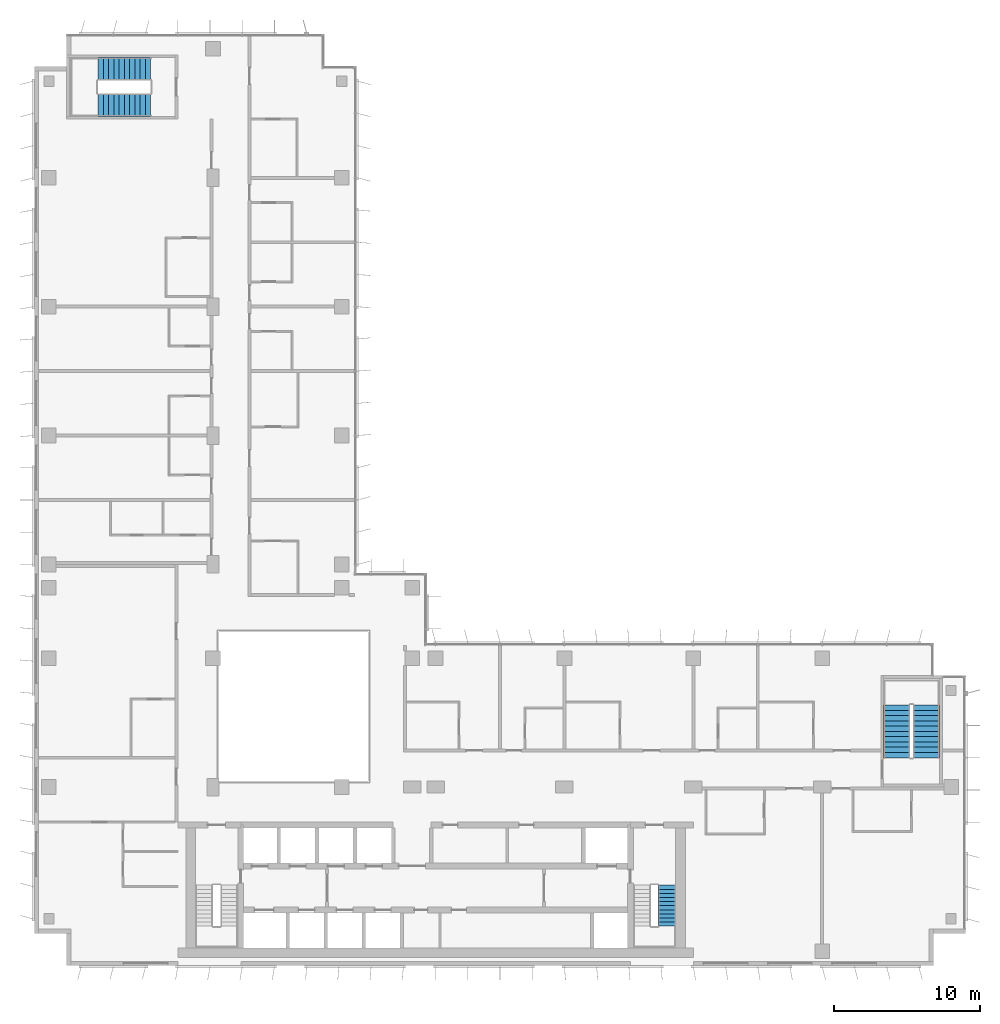
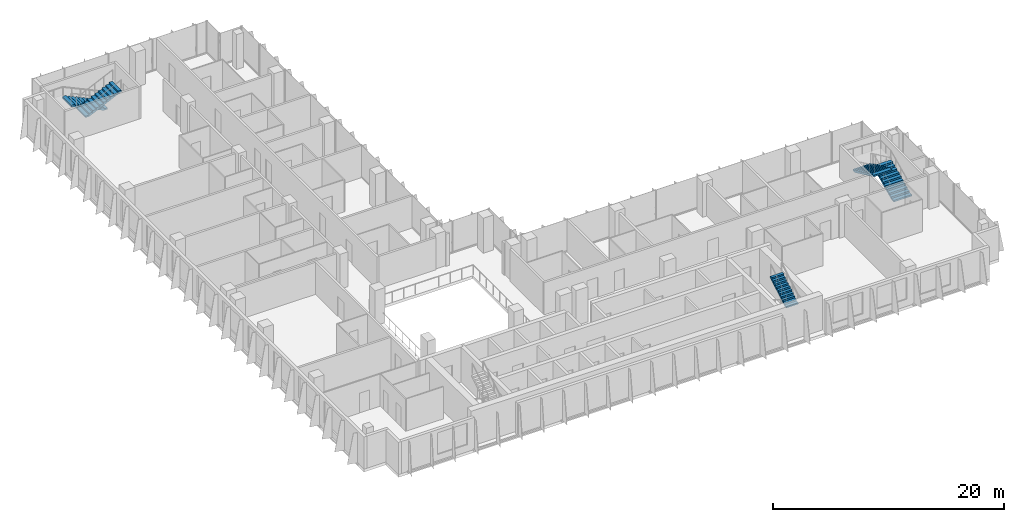
# One storey, part 18 of 21: 5 stair flights, 3 elements without a shape of their own.
"""IFC4 building model written with IfcOpenShell, lengths in metres."""

import ifcopenshell
import ifcopenshell.guid

model = None  # the IFC model being written
_history = None  # IfcOwnerHistory: only IFC2X3 demands one
_inside = {}  # id of a spatial element -> (the spatial element, [elements in it])
_under = {}  # id of a project, library or spatial element -> (it, [spatial elements below it])
_declared = {}  # id of a project -> (the project, [libraries it declares])
_typed = {}  # id of a type object -> (the type object, [elements of that type])
_made_of = {}  # id of a material, layer set ... -> (it, [elements and type objects made of it])


def new_model(schema):
    """Start an empty IFC model of exactly this schema.

    Asked for "IFC4X3", IfcOpenShell would pick the latest addendum, in which some entities
    have other attributes; the version numbers below select the first issue.
    IFC2X3 requires an IfcOwnerHistory on every rooted entity: one is made here for all.
    """
    global model, _history
    if schema == "IFC4X3":
        model = ifcopenshell.file(schema_version=(4, 3, 0, 0))
    else:
        model = ifcopenshell.file(schema=schema)
    _inside.clear()
    _under.clear()
    _declared.clear()
    _typed.clear()
    _made_of.clear()
    _history = None
    if model.schema == "IFC2X3":
        org = make("IfcOrganization", Name="unknown")
        user = make(
            "IfcPersonAndOrganization",
            ThePerson=make("IfcPerson", FamilyName="unknown"),
            TheOrganization=org,
        )
        app = make(
            "IfcApplication",
            ApplicationDeveloper=org,
            Version="unknown",
            ApplicationFullName="unknown",
            ApplicationIdentifier="unknown",
        )
        _history = make(
            "IfcOwnerHistory",
            OwningUser=user,
            OwningApplication=app,
            ChangeAction="ADDED",
            CreationDate=0,
        )
    return model


def make(cls, **values):
    """One entity of the class cls with the attributes given. An attribute that is None is left unset."""
    return model.create_entity(
        cls, **{name: value for name, value in values.items() if value is not None}
    )


def rooted(cls, **values):
    """An entity with a GlobalId (a new one), such as an element, a storey or a relation."""
    return make(cls, GlobalId=ifcopenshell.guid.new(), OwnerHistory=_history, **values)


def si_unit(unit_type, name, prefix=None):
    """IfcSIUnit, for example si_unit("LENGTHUNIT", "METRE", prefix="MILLI")."""
    return make("IfcSIUnit", UnitType=unit_type, Prefix=prefix, Name=name)


def assignment(units):
    """IfcUnitAssignment: the units of a project."""
    return None if units is None else make("IfcUnitAssignment", Units=units)


def point(xyz):
    """IfcCartesianPoint."""
    return None if xyz is None else make("IfcCartesianPoint", Coordinates=xyz)


def direction(xyz):
    """IfcDirection."""
    return None if xyz is None else make("IfcDirection", DirectionRatios=xyz)


def frame(location, z_axis=None, x_axis=None):
    """IfcAxis2Placement3D, a coordinate frame: its origin and axes. An axis left out is left unset."""
    return make(
        "IfcAxis2Placement3D",
        Location=point(location),
        Axis=direction(z_axis),
        RefDirection=direction(x_axis),
    )


def origin():
    """The frame at (0, 0, 0) with its axes left unset."""
    return frame((0.0, 0.0, 0.0))


def place(relative_to, where):
    """IfcLocalPlacement: puts the frame where relative to a parent placement (None: the world)."""
    return make(
        "IfcLocalPlacement", PlacementRelTo=relative_to, RelativePlacement=where
    )


def context(
    kind, dimensions, precision=None, world=None, true_north=None, identifier=None
):
    """IfcGeometricRepresentationContext, for example the 3D "Model" context."""
    return make(
        "IfcGeometricRepresentationContext",
        ContextIdentifier=identifier,
        ContextType=kind,
        CoordinateSpaceDimension=dimensions,
        Precision=precision,
        WorldCoordinateSystem=world,
        TrueNorth=true_north,
    )


def subcontext(parent, identifier, kind, view, scale=None):
    """IfcGeometricRepresentationSubContext, for example "Body" below "Model"."""
    return make(
        "IfcGeometricRepresentationSubContext",
        ContextIdentifier=identifier,
        ContextType=kind,
        ParentContext=parent,
        TargetScale=scale,
        TargetView=view,
    )


def project(units=None, contexts=None):
    """IfcProject with its units and contexts."""
    return rooted(
        "IfcProject",
        Name="project",
        RepresentationContexts=contexts,
        UnitsInContext=assignment(units),
    )


def spatial(cls, under=None, at=None, **own):
    """A site, building, storey or space (cls), placed at a placement, below another one or the project."""
    s = rooted(cls, ObjectPlacement=at, **own)
    if under is not None:
        _under.setdefault(under.id(), (under, []))[1].append(s)
    return s


def polyline(points):
    """IfcPolyline through the points."""
    return make("IfcPolyline", Points=[point(p) for p in points])


def outline(outer, holes=None, kind="AREA"):
    """IfcArbitraryClosedProfileDef: a profile drawn as a closed curve; with holes, ...WithVoids."""
    if holes is None:
        return make("IfcArbitraryClosedProfileDef", ProfileType=kind, OuterCurve=outer)
    return make(
        "IfcArbitraryProfileDefWithVoids",
        ProfileType=kind,
        OuterCurve=outer,
        InnerCurves=holes,
    )


def extrude(swept, where, along, depth):
    """IfcExtrudedAreaSolid: the profile swept, set in the frame where, extruded along a direction by depth."""
    return make(
        "IfcExtrudedAreaSolid",
        SweptArea=swept,
        Position=where,
        ExtrudedDirection=direction(along),
        Depth=depth,
    )


def shape(context_of_items, identifier, shape_type, items):
    """IfcShapeRepresentation: the items that make up one representation, for example the "Body"."""
    return make(
        "IfcShapeRepresentation",
        ContextOfItems=context_of_items,
        RepresentationIdentifier=identifier,
        RepresentationType=shape_type,
        Items=items,
    )


def material(Name=None, Category=None):
    """IfcMaterial."""
    return make("IfcMaterial", Name=Name, Category=Category)


def made_of(thing, what):
    """Note that an element or type object is made of a material, layer set ...; save() writes the relation."""
    if what is not None:
        _made_of.setdefault(what.id(), (what, []))[1].append(thing)
    return thing


def type_object(cls, material=None, **own):
    """A type object (cls), such as IfcWallType, which elements share."""
    return made_of(rooted(cls, **own), material)


def element(
    cls,
    number,
    at=None,
    inside=None,
    cuts=None,
    type_object=None,
    material=None,
    context=None,
    identifier="Body",
    shape_type=None,
    held_by="IfcProductDefinitionShape",
    body=None,
    shapes=None,
    **own,
):
    """One element of the class cls, such as IfcWall. Its Tag is "e" and its number.

    at: its placement. inside: the storey or other place that contains it. cuts: it is an
    opening in that element (IfcRelVoidsElement). A single representation is given by context,
    identifier, shape_type and body (its items); several are given by shapes. held_by: the class
    of the entity that holds the representations. save() writes the other relations.
    """
    e = rooted(cls, Tag="e%d" % number, ObjectPlacement=at, **own)
    if body is not None:
        shapes = [shape(context, identifier, shape_type, body)]
    if shapes is not None:
        e.Representation = make(held_by, Representations=shapes)
    if inside is not None:
        _inside.setdefault(inside.id(), (inside, []))[1].append(e)
    if cuts is not None:
        rooted(
            "IfcRelVoidsElement", RelatingBuildingElement=cuts, RelatedOpeningElement=e
        )
    if type_object is not None:
        _typed.setdefault(type_object.id(), (type_object, []))[1].append(e)
    return made_of(e, material)


def aggregate(whole, parts):
    """IfcRelAggregates: a whole, such as a stair, and the parts it consists of."""
    return rooted("IfcRelAggregates", RelatingObject=whole, RelatedObjects=parts)


def save(model, path):
    """Write the relations noted so far, then the file.

    IfcRelAggregates (storeys below a building ...), IfcRelContainedInSpatialStructure (elements
    in a storey), IfcRelDefinesByType, IfcRelAssociatesMaterial and IfcRelDeclares: one each for
    every whole, place, type object, material and project.
    """
    for whole, parts in _under.values():
        aggregate(whole, parts)
    for where, things in _inside.values():
        rooted(
            "IfcRelContainedInSpatialStructure",
            RelatedElements=things,
            RelatingStructure=where,
        )
    for kind, things in _typed.values():
        rooted("IfcRelDefinesByType", RelatedObjects=things, RelatingType=kind)
    for what, things in _made_of.values():
        rooted("IfcRelAssociatesMaterial", RelatedObjects=things, RelatingMaterial=what)
    for by, libraries in _declared.values():
        rooted("IfcRelDeclares", RelatingContext=by, RelatedDefinitions=libraries)
    model.write(path)


model = new_model("IFC4")

# Units and contexts
model_context = context("Model", 3, precision=1e-05, world=origin(), true_north=direction((0.0, 1.0)))
body_context = subcontext(model_context, "Body", "Model", "MODEL_VIEW")
ifc_project = project(units=[si_unit("LENGTHUNIT", "METRE"), si_unit("AREAUNIT", "SQUARE_METRE"), si_unit("VOLUMEUNIT", "CUBIC_METRE"), si_unit("PLANEANGLEUNIT", "RADIAN"), si_unit("MASSUNIT", "GRAM", prefix="KILO")], contexts=[model_context])

# Site, building, storey
site_placement = place(None, origin())
site = spatial("IfcSite", under=ifc_project, at=site_placement, CompositionType="ELEMENT")
building_placement = place(site_placement, origin())
building = spatial("IfcBuilding", under=site, at=building_placement, Name="Kemantara Hotel Tower", CompositionType="ELEMENT")
storey_placement = place(building_placement, frame((0.0, 0.0, 160.5)))
storey = spatial("IfcBuildingStorey", under=building, at=storey_placement, Name="L39", CompositionType="ELEMENT", Elevation=160.5)

# Stair, stair flight
ifc_material = material(Name="Concrete fc 40 MPa", Category="concrete")
stair_type_1 = type_object("IfcStairType", Name="Stair 1200 wide 22 risers of 168 x 280 mm", PredefinedType="HALF_TURN_STAIR", material=ifc_material)
stair_1_placement = place(storey_placement, origin())
stair_1 = element("IfcStair", 1, at=stair_1_placement, inside=storey, type_object=stair_type_1, Name="L39 Exit stair ST2", PredefinedType="HALF_TURN_STAIR")
stair_flight_type_1 = type_object("IfcStairFlightType", Name="Stair flight 1200 wide 168 x 280 mm", PredefinedType="STRAIGHT", material=ifc_material)
stair_flight_1_placement = place(storey_placement, frame((43.199951171875, 2.699951171875, 1.85009765625), z_axis=(0.0, 0.0, 1.0), x_axis=(0.0, 1.0, 0.0)))
stair_flight_1 = element("IfcStairFlight", 2, at=stair_flight_1_placement, type_object=stair_flight_type_1, Name="ST2 flight 2", NumberOfRisers=11, NumberOfTreads=10, PredefinedType="STRAIGHT", RiserHeight=0.168181818, TreadLength=0.28, context=body_context, shape_type="SweptSolid", body=[
    extrude(outline(polyline([(0.0, 0.0), (0.0, 0.168212890625), (0.280029296875, 0.168212890625), (0.280029296875, 0.33642578125), (0.56005859375, 0.33642578125), (0.56005859375, 0.504638671875), (0.840087890625, 0.504638671875), (0.840087890625, 0.672607421875), (1.1201171875, 0.672607421875), (1.1201171875, 0.8408203125), (1.39990234375, 0.8408203125), (1.39990234375, 1.009033203125), (1.679931640625, 1.009033203125), (1.679931640625, 1.17724609375), (1.9599609375, 1.17724609375), (1.9599609375, 1.345458984375), (2.239990234375, 1.345458984375), (2.239990234375, 1.513671875), (2.52001953125, 1.513671875), (2.52001953125, 1.681884765625), (2.800048828125, 1.681884765625), (2.800048828125, 1.85009765625), (2.800048828125, 1.5068359375), (0.291015625, 0.0), (0.0, 0.0)])), frame((0.0, 0.60009765625, 0.0), z_axis=(0.0, -1.0, 0.0), x_axis=(1.0, 0.0, 0.0)), (0.0, 0.0, 1.0), 1.199951171875),
])
aggregate(stair_1, [stair_flight_1])

# Stair, stair flights
stair_type_2 = type_object("IfcStairType", Name="Stair 1550 wide 22 risers of 168 x 360 mm", PredefinedType="HALF_TURN_STAIR", material=ifc_material)
stair_2_placement = place(storey_placement, origin())
stair_2 = element("IfcStair", 3, at=stair_2_placement, inside=storey, type_object=stair_type_2, Name="L39 Exit stair ST4", PredefinedType="HALF_TURN_STAIR")
stair_flight_type_2 = type_object("IfcStairFlightType", Name="Stair flight 1550 wide 168 x 360 mm", PredefinedType="STRAIGHT", material=ifc_material)
stair_flight_2_placement = place(storey_placement, frame((7.949951171875, 61.22509765625, 0.0), z_axis=(0.0, 0.0, 1.0), x_axis=(-1.0, 0.0, 0.0)))
stair_flight_2 = element("IfcStairFlight", 4, at=stair_flight_2_placement, type_object=stair_flight_type_2, Name="ST4 flight 1", NumberOfRisers=11, NumberOfTreads=10, PredefinedType="STRAIGHT", RiserHeight=0.168181818, TreadLength=0.36, context=body_context, shape_type="SweptSolid", body=[
    extrude(outline(polyline([(0.0, 0.0), (0.0, 0.168212890625), (0.360107421875, 0.168212890625), (0.360107421875, 0.33642578125), (0.719970703125, 0.33642578125), (0.719970703125, 0.504638671875), (1.080078125, 0.504638671875), (1.080078125, 0.672607421875), (1.43994140625, 0.672607421875), (1.43994140625, 0.8408203125), (1.800048828125, 0.8408203125), (1.800048828125, 1.009033203125), (2.159912109375, 1.009033203125), (2.159912109375, 1.17724609375), (2.52001953125, 1.17724609375), (2.52001953125, 1.345458984375), (2.8798828125, 1.345458984375), (2.8798828125, 1.513671875), (3.239990234375, 1.513671875), (3.239990234375, 1.681884765625), (3.60009765625, 1.681884765625), (3.60009765625, 1.85009765625), (3.60009765625, 1.516357421875), (0.354248046875, 0.0), (0.0, 0.0)])), frame((0.0, 0.77490234375, 0.0), z_axis=(0.0, -1.0, 0.0), x_axis=(1.0, 0.0, 0.0)), (0.0, 0.0, 1.0), 1.550048828125),
])
stair_flight_3_placement = place(storey_placement, frame((4.35009765625, 58.77490234375, 1.85009765625), z_axis=(0.0, 0.0, 1.0), x_axis=(1.0, 0.0, 0.0)))
stair_flight_3 = element("IfcStairFlight", 5, at=stair_flight_3_placement, type_object=stair_flight_type_2, Name="ST4 flight 2", NumberOfRisers=11, NumberOfTreads=10, PredefinedType="STRAIGHT", RiserHeight=0.168181818, TreadLength=0.36, context=body_context, shape_type="SweptSolid", body=[
    extrude(outline(polyline([(0.0, 0.0), (0.0, 0.168212890625), (0.360107421875, 0.168212890625), (0.360107421875, 0.33642578125), (0.719970703125, 0.33642578125), (0.719970703125, 0.504638671875), (1.080078125, 0.504638671875), (1.080078125, 0.672607421875), (1.43994140625, 0.672607421875), (1.43994140625, 0.8408203125), (1.800048828125, 0.8408203125), (1.800048828125, 1.009033203125), (2.159912109375, 1.009033203125), (2.159912109375, 1.17724609375), (2.52001953125, 1.17724609375), (2.52001953125, 1.345458984375), (2.8798828125, 1.345458984375), (2.8798828125, 1.513671875), (3.239990234375, 1.513671875), (3.239990234375, 1.681884765625), (3.60009765625, 1.681884765625), (3.60009765625, 1.85009765625), (3.60009765625, 1.516357421875), (0.354248046875, 0.0), (0.0, 0.0)])), frame((0.0, 0.77490234375, 0.0), z_axis=(0.0, -1.0, 0.0), x_axis=(1.0, 0.0, 0.0)), (0.0, 0.0, 1.0), 1.550048828125),
])
aggregate(stair_2, [stair_flight_2, stair_flight_3])

stair_type_3 = type_object("IfcStairType", Name="Stair 1800 wide 22 risers of 168 x 360 mm", PredefinedType="HALF_TURN_STAIR", material=ifc_material)
stair_3_placement = place(storey_placement, origin())
stair_3 = element("IfcStair", 6, at=stair_3_placement, inside=storey, type_object=stair_type_3, Name="L39 Exit stair ST3", PredefinedType="HALF_TURN_STAIR")
stair_flight_type_3 = type_object("IfcStairFlightType", Name="Stair flight 1800 wide 168 x 360 mm", PredefinedType="STRAIGHT", material=ifc_material)
stair_flight_4_placement = place(storey_placement, frame((60.89990234375, 14.199951171875, 0.0), z_axis=(0.0, 0.0, 1.0), x_axis=(0.0, 1.0, 0.0)))
stair_flight_4 = element("IfcStairFlight", 7, at=stair_flight_4_placement, type_object=stair_flight_type_3, Name="ST3 flight 1", NumberOfRisers=11, NumberOfTreads=10, PredefinedType="STRAIGHT", RiserHeight=0.168181818, TreadLength=0.36, context=body_context, shape_type="SweptSolid", body=[
    extrude(outline(polyline([(0.0, 0.0), (0.0, 0.168212890625), (0.360107421875, 0.168212890625), (0.360107421875, 0.33642578125), (0.719970703125, 0.33642578125), (0.719970703125, 0.504638671875), (1.080078125, 0.504638671875), (1.080078125, 0.672607421875), (1.43994140625, 0.672607421875), (1.43994140625, 0.8408203125), (1.800048828125, 0.8408203125), (1.800048828125, 1.009033203125), (2.159912109375, 1.009033203125), (2.159912109375, 1.17724609375), (2.52001953125, 1.17724609375), (2.52001953125, 1.345458984375), (2.8798828125, 1.345458984375), (2.8798828125, 1.513671875), (3.239990234375, 1.513671875), (3.239990234375, 1.681884765625), (3.60009765625, 1.681884765625), (3.60009765625, 1.85009765625), (3.60009765625, 1.516357421875), (0.354248046875, 0.0), (0.0, 0.0)])), frame((0.0, 0.89990234375, 0.0), z_axis=(0.0, -1.0, 0.0), x_axis=(1.0, 0.0, 0.0)), (0.0, 0.0, 1.0), 1.800048828125),
])
stair_flight_5_placement = place(storey_placement, frame((58.89990234375, 17.800048828125, 1.85009765625), z_axis=(0.0, 0.0, 1.0), x_axis=(0.0, -1.0, 0.0)))
stair_flight_5 = element("IfcStairFlight", 8, at=stair_flight_5_placement, type_object=stair_flight_type_3, Name="ST3 flight 2", NumberOfRisers=11, NumberOfTreads=10, PredefinedType="STRAIGHT", RiserHeight=0.168181818, TreadLength=0.36, context=body_context, shape_type="SweptSolid", body=[
    extrude(outline(polyline([(0.0, 0.0), (0.0, 0.168212890625), (0.360107421875, 0.168212890625), (0.360107421875, 0.33642578125), (0.719970703125, 0.33642578125), (0.719970703125, 0.504638671875), (1.080078125, 0.504638671875), (1.080078125, 0.672607421875), (1.43994140625, 0.672607421875), (1.43994140625, 0.8408203125), (1.800048828125, 0.8408203125), (1.800048828125, 1.009033203125), (2.159912109375, 1.009033203125), (2.159912109375, 1.17724609375), (2.52001953125, 1.17724609375), (2.52001953125, 1.345458984375), (2.8798828125, 1.345458984375), (2.8798828125, 1.513671875), (3.239990234375, 1.513671875), (3.239990234375, 1.681884765625), (3.60009765625, 1.681884765625), (3.60009765625, 1.85009765625), (3.60009765625, 1.516357421875), (0.354248046875, 0.0), (0.0, 0.0)])), frame((0.0, 0.89990234375, 0.0), z_axis=(0.0, -1.0, 0.0), x_axis=(1.0, 0.0, 0.0)), (0.0, 0.0, 1.0), 1.800048828125),
])
aggregate(stair_3, [stair_flight_4, stair_flight_5])

save(model, "model.ifc")
